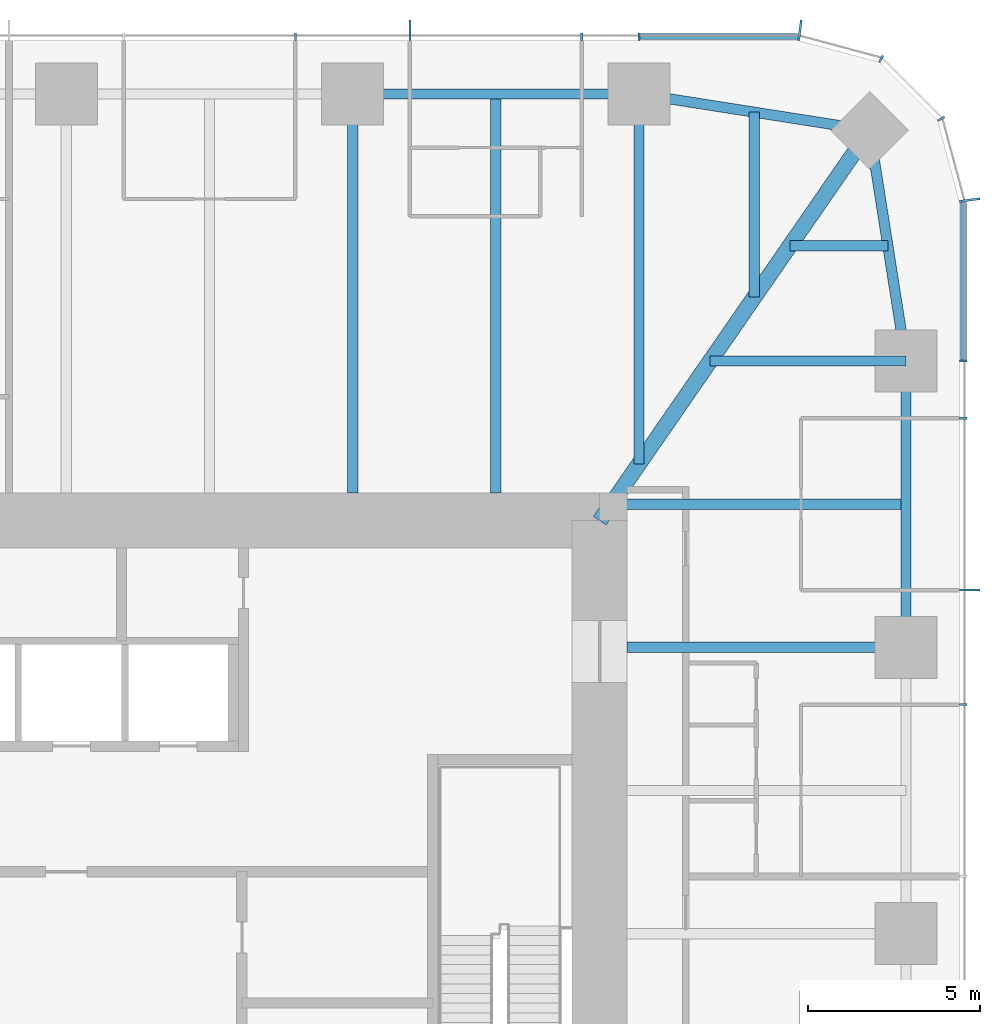
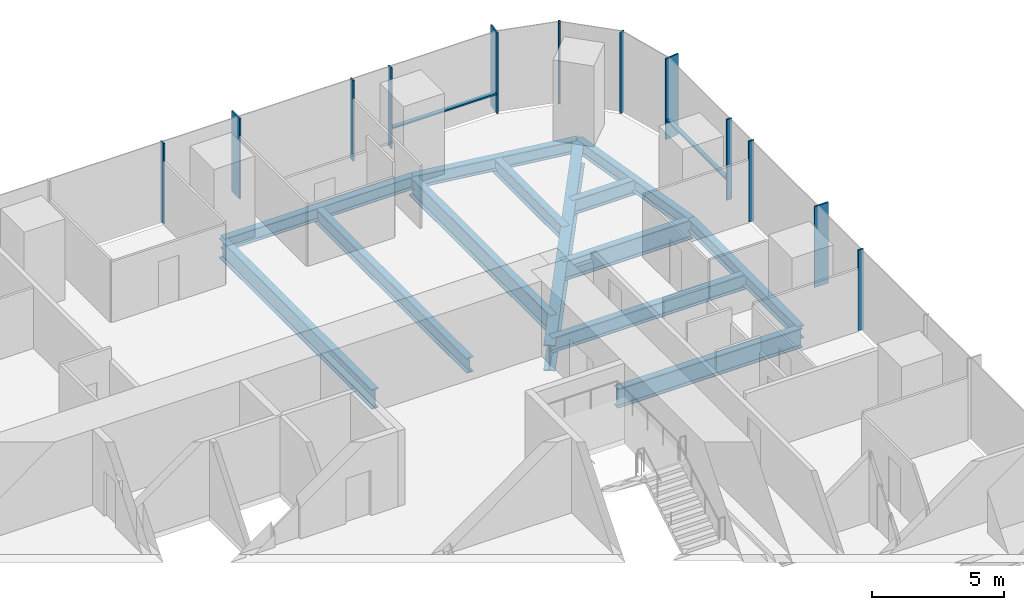
# One storey, part 6 of 12: 14 members, 13 beams, 3 elements without a shape of their own.
"""IFC4 building model written with IfcOpenShell, lengths in metres."""

import ifcopenshell
import ifcopenshell.guid

model = None  # the IFC model being written
_history = None  # IfcOwnerHistory: only IFC2X3 demands one
_inside = {}  # id of a spatial element -> (the spatial element, [elements in it])
_under = {}  # id of a project, library or spatial element -> (it, [spatial elements below it])
_declared = {}  # id of a project -> (the project, [libraries it declares])
_typed = {}  # id of a type object -> (the type object, [elements of that type])
_made_of = {}  # id of a material, layer set ... -> (it, [elements and type objects made of it])


def new_model(schema):
    """Start an empty IFC model of exactly this schema.

    Asked for "IFC4X3", IfcOpenShell would pick the latest addendum, in which some entities
    have other attributes; the version numbers below select the first issue.
    IFC2X3 requires an IfcOwnerHistory on every rooted entity: one is made here for all.
    """
    global model, _history
    if schema == "IFC4X3":
        model = ifcopenshell.file(schema_version=(4, 3, 0, 0))
    else:
        model = ifcopenshell.file(schema=schema)
    _inside.clear()
    _under.clear()
    _declared.clear()
    _typed.clear()
    _made_of.clear()
    _history = None
    if model.schema == "IFC2X3":
        org = make("IfcOrganization", Name="unknown")
        user = make(
            "IfcPersonAndOrganization",
            ThePerson=make("IfcPerson", FamilyName="unknown"),
            TheOrganization=org,
        )
        app = make(
            "IfcApplication",
            ApplicationDeveloper=org,
            Version="unknown",
            ApplicationFullName="unknown",
            ApplicationIdentifier="unknown",
        )
        _history = make(
            "IfcOwnerHistory",
            OwningUser=user,
            OwningApplication=app,
            ChangeAction="ADDED",
            CreationDate=0,
        )
    return model


def make(cls, **values):
    """One entity of the class cls with the attributes given. An attribute that is None is left unset."""
    return model.create_entity(
        cls, **{name: value for name, value in values.items() if value is not None}
    )


def rooted(cls, **values):
    """An entity with a GlobalId (a new one), such as an element, a storey or a relation."""
    return make(cls, GlobalId=ifcopenshell.guid.new(), OwnerHistory=_history, **values)


def si_unit(unit_type, name, prefix=None):
    """IfcSIUnit, for example si_unit("LENGTHUNIT", "METRE", prefix="MILLI")."""
    return make("IfcSIUnit", UnitType=unit_type, Prefix=prefix, Name=name)


def assignment(units):
    """IfcUnitAssignment: the units of a project."""
    return None if units is None else make("IfcUnitAssignment", Units=units)


def point(xyz):
    """IfcCartesianPoint."""
    return None if xyz is None else make("IfcCartesianPoint", Coordinates=xyz)


def direction(xyz):
    """IfcDirection."""
    return None if xyz is None else make("IfcDirection", DirectionRatios=xyz)


def frame(location, z_axis=None, x_axis=None):
    """IfcAxis2Placement3D, a coordinate frame: its origin and axes. An axis left out is left unset."""
    return make(
        "IfcAxis2Placement3D",
        Location=point(location),
        Axis=direction(z_axis),
        RefDirection=direction(x_axis),
    )


def frame_2d(location, x_axis=None):
    """IfcAxis2Placement2D, a coordinate frame in the plane: its origin and x axis."""
    return make(
        "IfcAxis2Placement2D", Location=point(location), RefDirection=direction(x_axis)
    )


def origin():
    """The frame at (0, 0, 0) with its axes left unset."""
    return frame((0.0, 0.0, 0.0))


def origin_2d():
    """The frame at (0, 0) in the plane with its x axis left unset."""
    return frame_2d((0.0, 0.0))


def place(relative_to, where):
    """IfcLocalPlacement: puts the frame where relative to a parent placement (None: the world)."""
    return make(
        "IfcLocalPlacement", PlacementRelTo=relative_to, RelativePlacement=where
    )


def context(
    kind, dimensions, precision=None, world=None, true_north=None, identifier=None
):
    """IfcGeometricRepresentationContext, for example the 3D "Model" context."""
    return make(
        "IfcGeometricRepresentationContext",
        ContextIdentifier=identifier,
        ContextType=kind,
        CoordinateSpaceDimension=dimensions,
        Precision=precision,
        WorldCoordinateSystem=world,
        TrueNorth=true_north,
    )


def subcontext(parent, identifier, kind, view, scale=None):
    """IfcGeometricRepresentationSubContext, for example "Body" below "Model"."""
    return make(
        "IfcGeometricRepresentationSubContext",
        ContextIdentifier=identifier,
        ContextType=kind,
        ParentContext=parent,
        TargetScale=scale,
        TargetView=view,
    )


def project(units=None, contexts=None):
    """IfcProject with its units and contexts."""
    return rooted(
        "IfcProject",
        Name="project",
        RepresentationContexts=contexts,
        UnitsInContext=assignment(units),
    )


def spatial(cls, under=None, at=None, **own):
    """A site, building, storey or space (cls), placed at a placement, below another one or the project."""
    s = rooted(cls, ObjectPlacement=at, **own)
    if under is not None:
        _under.setdefault(under.id(), (under, []))[1].append(s)
    return s


def profile(cls, at=None, kind="AREA", **sizes):
    """A parametric profile (cls). Its sizes go by their IFC names, for example OverallWidth=200.0."""
    return make(cls, ProfileType=kind, Position=at, **sizes)


def rectangle(**sizes):
    """IfcRectangleProfileDef."""
    return profile("IfcRectangleProfileDef", **sizes)


def i_section(**sizes):
    """IfcIShapeProfileDef."""
    return profile("IfcIShapeProfileDef", **sizes)


def extrude(swept, where, along, depth):
    """IfcExtrudedAreaSolid: the profile swept, set in the frame where, extruded along a direction by depth."""
    return make(
        "IfcExtrudedAreaSolid",
        SweptArea=swept,
        Position=where,
        ExtrudedDirection=direction(along),
        Depth=depth,
    )


def shape(context_of_items, identifier, shape_type, items):
    """IfcShapeRepresentation: the items that make up one representation, for example the "Body"."""
    return make(
        "IfcShapeRepresentation",
        ContextOfItems=context_of_items,
        RepresentationIdentifier=identifier,
        RepresentationType=shape_type,
        Items=items,
    )


def material(Name=None, Category=None):
    """IfcMaterial."""
    return make("IfcMaterial", Name=Name, Category=Category)


def material_profile(
    of_material, cross_section, Name=None, Category=None, Priority=None
):
    """IfcMaterialProfile: a cross section and its material."""
    return make(
        "IfcMaterialProfile",
        Name=Name,
        Material=of_material,
        Profile=cross_section,
        Priority=Priority,
        Category=Category,
    )


def profile_set(profiles, Name=None, composite=None):
    """IfcMaterialProfileSet."""
    return make(
        "IfcMaterialProfileSet",
        Name=Name,
        MaterialProfiles=profiles,
        CompositeProfile=composite,
    )


def made_of(thing, what):
    """Note that an element or type object is made of a material, layer set ...; save() writes the relation."""
    if what is not None:
        _made_of.setdefault(what.id(), (what, []))[1].append(thing)
    return thing


def type_object(cls, material=None, **own):
    """A type object (cls), such as IfcWallType, which elements share."""
    return made_of(rooted(cls, **own), material)


def element(
    cls,
    number,
    at=None,
    inside=None,
    cuts=None,
    type_object=None,
    material=None,
    context=None,
    identifier="Body",
    shape_type=None,
    held_by="IfcProductDefinitionShape",
    body=None,
    shapes=None,
    **own,
):
    """One element of the class cls, such as IfcWall. Its Tag is "e" and its number.

    at: its placement. inside: the storey or other place that contains it. cuts: it is an
    opening in that element (IfcRelVoidsElement). A single representation is given by context,
    identifier, shape_type and body (its items); several are given by shapes. held_by: the class
    of the entity that holds the representations. save() writes the other relations.
    """
    e = rooted(cls, Tag="e%d" % number, ObjectPlacement=at, **own)
    if body is not None:
        shapes = [shape(context, identifier, shape_type, body)]
    if shapes is not None:
        e.Representation = make(held_by, Representations=shapes)
    if inside is not None:
        _inside.setdefault(inside.id(), (inside, []))[1].append(e)
    if cuts is not None:
        rooted(
            "IfcRelVoidsElement", RelatingBuildingElement=cuts, RelatedOpeningElement=e
        )
    if type_object is not None:
        _typed.setdefault(type_object.id(), (type_object, []))[1].append(e)
    return made_of(e, material)


def aggregate(whole, parts):
    """IfcRelAggregates: a whole, such as a stair, and the parts it consists of."""
    return rooted("IfcRelAggregates", RelatingObject=whole, RelatedObjects=parts)


def save(model, path):
    """Write the relations noted so far, then the file.

    IfcRelAggregates (storeys below a building ...), IfcRelContainedInSpatialStructure (elements
    in a storey), IfcRelDefinesByType, IfcRelAssociatesMaterial and IfcRelDeclares: one each for
    every whole, place, type object, material and project.
    """
    for whole, parts in _under.values():
        aggregate(whole, parts)
    for where, things in _inside.values():
        rooted(
            "IfcRelContainedInSpatialStructure",
            RelatedElements=things,
            RelatingStructure=where,
        )
    for kind, things in _typed.values():
        rooted("IfcRelDefinesByType", RelatedObjects=things, RelatingType=kind)
    for what, things in _made_of.values():
        rooted("IfcRelAssociatesMaterial", RelatedObjects=things, RelatingMaterial=what)
    for by, libraries in _declared.values():
        rooted("IfcRelDeclares", RelatingContext=by, RelatedDefinitions=libraries)
    model.write(path)


model = new_model("IFC4")

# Units and contexts
model_context = context("Model", 3, precision=1e-05, world=origin(), true_north=direction((0.0, 1.0)))
body_context = subcontext(model_context, "Body", "Model", "MODEL_VIEW")
ifc_project = project(units=[si_unit("LENGTHUNIT", "METRE"), si_unit("AREAUNIT", "SQUARE_METRE"), si_unit("VOLUMEUNIT", "CUBIC_METRE"), si_unit("PLANEANGLEUNIT", "RADIAN"), si_unit("MASSUNIT", "GRAM", prefix="KILO")], contexts=[model_context])

# Site, building, storey
site_placement = place(None, origin())
site = spatial("IfcSite", under=ifc_project, at=site_placement, CompositionType="ELEMENT")
building_placement = place(site_placement, origin())
building = spatial("IfcBuilding", under=site, at=building_placement, Name="Khuree Lantern Residences", CompositionType="ELEMENT")
storey_placement = place(building_placement, frame((0.0, 0.0, 233.25)))
storey = spatial("IfcBuildingStorey", under=building, at=storey_placement, Name="L58", CompositionType="ELEMENT", Elevation=233.25)

# Beams
ifc_material_1 = material(Name="Steel S355", Category="steel")
ifc_material_profile_1 = material_profile(ifc_material_1, i_section(OverallWidth=0.300048828125, OverallDepth=0.68994140625, WebThickness=0.014404296875, FlangeThickness=0.027099609375, FilletRadius=0.027099609375, at=origin_2d()), Name="HE 700 A")
ifc_profile_set_1 = profile_set([ifc_material_profile_1], Name="Steel S355")
beam_type_1 = type_object("IfcBeamType", Name="B-33 SECONDARY BEAM HE 700 A", PredefinedType="BEAM", material=ifc_profile_set_1)
beam_1_placement = place(storey_placement, frame((12.47998046875, 24.39990234375, -0.594970703125), z_axis=(0.0, -1.0, 0.0), x_axis=(1.0, 0.0, 0.0)))
element("IfcBeam", 1, at=beam_1_placement, inside=storey, type_object=beam_type_1, Name="Secondary beam N4", PredefinedType="BEAM", context=body_context, shape_type="SweptSolid", body=[
    extrude(i_section(OverallWidth=0.300048828125, OverallDepth=0.68994140625, WebThickness=0.014404296875, FlangeThickness=0.027099609375, FilletRadius=0.027099609375, at=origin_2d()), origin(), (0.0, 0.0, 1.0), 11.599853515625),
])
beam_2_placement = place(storey_placement, frame((19.992919921875, 23.872802734375, -0.594970703125), z_axis=(0.0, -1.0, 0.0), x_axis=(1.0, 0.0, 0.0)))
element("IfcBeam", 2, at=beam_2_placement, inside=storey, type_object=beam_type_1, Name="Secondary beam N5", PredefinedType="BEAM", context=body_context, shape_type="SweptSolid", body=[
    extrude(i_section(OverallWidth=0.300048828125, OverallDepth=0.68994140625, WebThickness=0.014404296875, FlangeThickness=0.027099609375, FilletRadius=0.027099609375, at=origin_2d()), origin(), (0.0, 0.0, 1.0), 5.375732421875),
])
beam_3_placement = place(storey_placement, frame((23.872802734375, 19.992919921875, -0.594970703125), z_axis=(-1.0, 0.0, 0.0), x_axis=(0.0, -1.0, 0.0)))
element("IfcBeam", 3, at=beam_3_placement, inside=storey, type_object=beam_type_1, Name="Secondary beam E1", PredefinedType="BEAM", context=body_context, shape_type="SweptSolid", body=[
    extrude(i_section(OverallWidth=0.300048828125, OverallDepth=0.68994140625, WebThickness=0.014404296875, FlangeThickness=0.027099609375, FilletRadius=0.027099609375, at=origin_2d()), origin(), (0.0, 0.0, 1.0), 2.845703125),
])
beam_4_placement = place(storey_placement, frame((24.39990234375, 12.47998046875, -0.594970703125), z_axis=(-1.0, 0.0, 0.0), x_axis=(0.0, -1.0, 0.0)))
element("IfcBeam", 4, at=beam_4_placement, inside=storey, type_object=beam_type_1, Name="Secondary beam E2", PredefinedType="BEAM", context=body_context, shape_type="SweptSolid", body=[
    extrude(i_section(OverallWidth=0.300048828125, OverallDepth=0.68994140625, WebThickness=0.014404296875, FlangeThickness=0.027099609375, FilletRadius=0.027099609375, at=origin_2d()), origin(), (0.0, 0.0, 1.0), 8.56787109375),
])
ifc_material_profile_2 = material_profile(ifc_material_1, i_section(OverallWidth=0.300048828125, OverallDepth=0.590087890625, WebThickness=0.012939453125, FlangeThickness=0.02490234375, FilletRadius=0.027099609375, at=origin_2d()), Name="HE 600 A")
ifc_profile_set_2 = profile_set([ifc_material_profile_2], Name="Steel S355")
beam_type_2 = type_object("IfcBeamType", Name="E-33 SPANDREL BEAM HE 600 A", PredefinedType="SPANDREL", material=ifc_profile_set_2)
beam_5_placement = place(storey_placement, frame((8.320068359375, 24.39990234375, -0.544921875), z_axis=(1.0, 0.0, 0.0), x_axis=(0.0, 1.0, 0.0)))
element("IfcBeam", 5, at=beam_5_placement, inside=storey, type_object=beam_type_2, Name="Spandrel beam N4", PredefinedType="SPANDREL", context=body_context, shape_type="SweptSolid", body=[
    extrude(i_section(OverallWidth=0.300048828125, OverallDepth=0.590087890625, WebThickness=0.012939453125, FlangeThickness=0.02490234375, FilletRadius=0.027099609375, at=origin_2d()), origin(), (0.0, 0.0, 1.0), 8.31982421875),
])
for number, where, z_axis, x_axis, name in (
    (6, (16.639892578125, 24.39990234375, -0.544921875), (0.98786743189, -0.155299507442, 0.0), (0.155299507442, 0.98786743189, 0.0), "Spandrel beam N5"),
    (7, (23.345703125, 23.345703125, -0.544921875), (0.155299507442, -0.98786743189, 0.0), (0.98786743189, 0.155299507442, 0.0), "Spandrel beam E1"),
):
    element("IfcBeam", number, at=place(storey_placement, frame(where, z_axis=z_axis, x_axis=x_axis)), inside=storey, type_object=beam_type_2, Name=name, PredefinedType="SPANDREL", context=body_context, shape_type="SweptSolid", body=[
        extrude(i_section(OverallWidth=0.300048828125, OverallDepth=0.590087890625, WebThickness=0.012939453125, FlangeThickness=0.02490234375, FilletRadius=0.027099609375, at=origin_2d()), origin(), (0.0, 0.0, 1.0), 6.7880859375),
    ])
beam_6_placement = place(storey_placement, frame((24.39990234375, 16.639892578125, -0.544921875), z_axis=(0.0, -1.0, 0.0), x_axis=(1.0, 0.0, 0.0)))
element("IfcBeam", 8, at=beam_6_placement, inside=storey, type_object=beam_type_2, Name="Spandrel beam E2", PredefinedType="SPANDREL", context=body_context, shape_type="SweptSolid", body=[
    extrude(i_section(OverallWidth=0.300048828125, OverallDepth=0.590087890625, WebThickness=0.012939453125, FlangeThickness=0.02490234375, FilletRadius=0.027099609375, at=origin_2d()), origin(), (0.0, 0.0, 1.0), 8.31982421875),
])

# Curtain wall, member
ifc_material_2 = material(Name="Bronze anodised aluminium", Category="aluminium")
curtain_wall_type_1 = type_object("IfcCurtainWallType", Name="CW-T1 TOWER FACE CURTAIN WALL", PredefinedType="USERDEFINED", material=ifc_material_2)
curtain_wall_1_placement = place(storey_placement, origin())
curtain_wall_1 = element("IfcCurtainWall", 9, at=curtain_wall_1_placement, inside=storey, type_object=curtain_wall_type_1, Name="L58 EAST FACE CURTAIN WALL", ObjectType="Stick-built curtain wall", PredefinedType="USERDEFINED")
ifc_material_profile_3 = material_profile(ifc_material_2, rectangle(XDim=0.06494140625, YDim=0.60009765625, at=origin_2d()), Name="F1 65X600")
ifc_profile_set_3 = profile_set([ifc_material_profile_3], Name="Bronze anodised aluminium")
member_type_1 = type_object("IfcMemberType", Name="F1 BRONZE FIN MULLION TOWER 65X600", PredefinedType="MULLION", material=ifc_profile_set_3)
member_1_placement = place(storey_placement, frame((26.25, 9.98388671875, 0.0), z_axis=(0.0, 0.0, 1.0), x_axis=(0.0, 1.0, 0.0)))
member_1 = element("IfcMember", 10, at=member_1_placement, type_object=member_type_1, Name="L58 EAST FACE FIN MULLION 12", PredefinedType="MULLION", context=body_context, shape_type="SweptSolid", body=[
    extrude(rectangle(XDim=0.06494140625, YDim=0.60009765625, at=origin_2d()), origin(), (0.0, 0.0, 1.0), 3.75),
])

curtain_wall_type_2 = type_object("IfcCurtainWallType", Name="CW-T2 TOWER CORNER CURTAIN WALL", PredefinedType="USERDEFINED", material=ifc_material_2)
curtain_wall_2_placement = place(storey_placement, origin())
curtain_wall_2 = element("IfcCurtainWall", 11, at=curtain_wall_2_placement, inside=storey, type_object=curtain_wall_type_2, Name="L58 NORTH-EAST CORNER CURTAIN WALL", ObjectType="Faceted corner curtain wall", PredefinedType="USERDEFINED")
member_2_placement = place(storey_placement, frame((26.25, 21.31982421875, 0.0), z_axis=(0.0, 0.0, 1.0), x_axis=(-0.130526180298, 0.991444862943, 0.0)))
member_2 = element("IfcMember", 12, at=member_2_placement, type_object=member_type_1, Name="L58 NORTH-EAST CORNER FIN MULLION 15", PredefinedType="MULLION", context=body_context, shape_type="SweptSolid", body=[
    extrude(rectangle(XDim=0.06494140625, YDim=0.60009765625, at=origin_2d()), origin(), (0.0, 0.0, 1.0), 3.75),
])

# Curtain wall, members
curtain_wall_3_placement = place(storey_placement, origin())
curtain_wall_3 = element("IfcCurtainWall", 13, at=curtain_wall_3_placement, inside=storey, type_object=curtain_wall_type_1, Name="L58 NORTH FACE CURTAIN WALL", ObjectType="Stick-built curtain wall", PredefinedType="USERDEFINED")
member_3_placement = place(storey_placement, frame((21.31982421875, 26.25, 0.0), z_axis=(0.0, 0.0, 1.0), x_axis=(-0.991444862943, 0.130526180298, 0.0)))
member_3 = element("IfcMember", 14, at=member_3_placement, type_object=member_type_1, Name="L58 NORTH FACE FIN MULLION 18", PredefinedType="MULLION", context=body_context, shape_type="SweptSolid", body=[
    extrude(rectangle(XDim=0.06494140625, YDim=0.60009765625, at=origin_2d()), origin(), (0.0, 0.0, 1.0), 3.75),
])
member_4_placement = place(storey_placement, frame((9.98388671875, 26.25, 0.0), z_axis=(0.0, 0.0, 1.0), x_axis=(-1.0, 0.0, 0.0)))
member_4 = element("IfcMember", 15, at=member_4_placement, type_object=member_type_1, Name="L58 NORTH FACE FIN MULLION 21", PredefinedType="MULLION", context=body_context, shape_type="SweptSolid", body=[
    extrude(rectangle(XDim=0.06494140625, YDim=0.60009765625, at=origin_2d()), origin(), (0.0, 0.0, 1.0), 3.75),
])

# Beams
ifc_material_profile_4 = material_profile(ifc_material_1, i_section(OverallWidth=0.300048828125, OverallDepth=0.89990234375, WebThickness=0.0185546875, FlangeThickness=0.034912109375, FilletRadius=0.030029296875, at=origin_2d()), Name="HE 900 B")
ifc_profile_set_4 = profile_set([ifc_material_profile_4], Name="Steel S355")
beam_type_3 = type_object("IfcBeamType", Name="G-33 GIRDER HE 900 B", PredefinedType="BEAM", material=ifc_profile_set_4)
beam_7_placement = place(storey_placement, frame((8.320068359375, 24.39990234375, -0.699951171875), z_axis=(0.0, -1.0, 0.0), x_axis=(1.0, 0.0, 0.0)))
element("IfcBeam", 16, at=beam_7_placement, inside=storey, type_object=beam_type_3, Name="Girder N4", PredefinedType="BEAM", context=body_context, shape_type="SweptSolid", body=[
    extrude(i_section(OverallWidth=0.300048828125, OverallDepth=0.89990234375, WebThickness=0.0185546875, FlangeThickness=0.034912109375, FilletRadius=0.030029296875, at=origin_2d()), origin(), (0.0, 0.0, 1.0), 11.599853515625),
])
beam_8_placement = place(storey_placement, frame((16.639892578125, 24.39990234375, -0.699951171875), z_axis=(0.0, -1.0, 0.0), x_axis=(1.0, 0.0, 0.0)))
element("IfcBeam", 17, at=beam_8_placement, inside=storey, type_object=beam_type_3, Name="Girder N5", PredefinedType="BEAM", context=body_context, shape_type="SweptSolid", body=[
    extrude(i_section(OverallWidth=0.300048828125, OverallDepth=0.89990234375, WebThickness=0.0185546875, FlangeThickness=0.034912109375, FilletRadius=0.030029296875, at=origin_2d()), origin(), (0.0, 0.0, 1.0), 10.751220703125),
])
beam_9_placement = place(storey_placement, frame((24.39990234375, 16.639892578125, -0.699951171875), z_axis=(-1.0, 0.0, 0.0), x_axis=(0.0, -1.0, 0.0)))
element("IfcBeam", 18, at=beam_9_placement, inside=storey, type_object=beam_type_3, Name="Girder E1", PredefinedType="BEAM", context=body_context, shape_type="SweptSolid", body=[
    extrude(i_section(OverallWidth=0.300048828125, OverallDepth=0.89990234375, WebThickness=0.0185546875, FlangeThickness=0.034912109375, FilletRadius=0.030029296875, at=origin_2d()), origin(), (0.0, 0.0, 1.0), 5.69140625),
])
beam_10_placement = place(storey_placement, frame((24.39990234375, 8.320068359375, -0.699951171875), z_axis=(-1.0, 0.0, 0.0), x_axis=(0.0, -1.0, 0.0)))
element("IfcBeam", 19, at=beam_10_placement, inside=storey, type_object=beam_type_3, Name="Girder E2", PredefinedType="BEAM", context=body_context, shape_type="SweptSolid", body=[
    extrude(i_section(OverallWidth=0.300048828125, OverallDepth=0.89990234375, WebThickness=0.0185546875, FlangeThickness=0.034912109375, FilletRadius=0.030029296875, at=origin_2d()), origin(), (0.0, 0.0, 1.0), 8.099853515625),
])
ifc_material_profile_5 = material_profile(ifc_material_1, i_section(OverallWidth=0.449951171875, OverallDepth=1.199951171875, WebThickness=0.02490234375, FlangeThickness=0.044921875, at=origin_2d()), Name="WELDED I 1200X450X25X45")
ifc_profile_set_5 = profile_set([ifc_material_profile_5], Name="Steel S355")
beam_type_4 = type_object("IfcBeamType", Name="GD-33 CORNER GIRDER WELDED I 1200X450X25X45", PredefinedType="BEAM", material=ifc_profile_set_5)
beam_11_placement = place(storey_placement, frame((23.345703125, 23.345703125, -0.85009765625), z_axis=(-0.56876813501, -0.822497907959, 0.0), x_axis=(0.822497907959, -0.56876813501, 0.0)))
element("IfcBeam", 20, at=beam_11_placement, inside=storey, type_object=beam_type_4, Name="Corner girder NE", PredefinedType="BEAM", context=body_context, shape_type="SweptSolid", body=[
    extrude(i_section(OverallWidth=0.449951171875, OverallDepth=1.199951171875, WebThickness=0.02490234375, FlangeThickness=0.044921875, at=origin_2d()), origin(), (0.0, 0.0, 1.0), 13.794189453125),
])

# Member
ifc_material_profile_6 = material_profile(ifc_material_2, rectangle(XDim=0.06494140625, YDim=0.219970703125, at=origin_2d()), Name="M1 65X220")
ifc_profile_set_6 = profile_set([ifc_material_profile_6], Name="Bronze anodised aluminium")
member_type_2 = type_object("IfcMemberType", Name="M1 BRONZE MULLION TOWER 65X220", PredefinedType="MULLION", material=ifc_profile_set_6)
member_5_placement = place(storey_placement, frame((26.06005859375, 6.656005859375, 0.0), z_axis=(0.0, 0.0, 1.0), x_axis=(0.0, 1.0, 0.0)))
member_5 = element("IfcMember", 21, at=member_5_placement, type_object=member_type_2, Name="L58 EAST FACE MULLION 11", PredefinedType="MULLION", context=body_context, shape_type="SweptSolid", body=[
    extrude(rectangle(XDim=0.06494140625, YDim=0.219970703125, at=origin_2d()), origin(), (0.0, 0.0, 1.0), 3.75),
])

member_6_placement = place(storey_placement, frame((26.06005859375, 14.97607421875, 0.0), z_axis=(0.0, 0.0, 1.0), x_axis=(0.0, 1.0, 0.0)))
member_6 = element("IfcMember", 22, at=member_6_placement, type_object=member_type_2, Name="L58 EAST FACE MULLION 13", PredefinedType="MULLION", context=body_context, shape_type="SweptSolid", body=[
    extrude(rectangle(XDim=0.06494140625, YDim=0.219970703125, at=origin_2d()), origin(), (0.0, 0.0, 1.0), 3.75),
])

member_7_placement = place(storey_placement, frame((26.06005859375, 16.639892578125, 0.0), z_axis=(0.0, 0.0, 1.0), x_axis=(0.0, 1.0, 0.0)))
member_7 = element("IfcMember", 23, at=member_7_placement, type_object=member_type_2, Name="L58 EAST FACE MULLION 14", PredefinedType="MULLION", context=body_context, shape_type="SweptSolid", body=[
    extrude(rectangle(XDim=0.06494140625, YDim=0.219970703125, at=origin_2d()), origin(), (0.0, 0.0, 1.0), 3.75),
])

member_8_placement = place(storey_placement, frame((25.42236328125, 23.679931640625, 0.0), z_axis=(0.0, 0.0, 1.0), x_axis=(-0.499999989586, 0.866025409797, 0.0)))
member_8 = element("IfcMember", 24, at=member_8_placement, type_object=member_type_2, Name="L58 NORTH-EAST CORNER MULLION 16", PredefinedType="MULLION", context=body_context, shape_type="SweptSolid", body=[
    extrude(rectangle(XDim=0.06494140625, YDim=0.219970703125, at=origin_2d()), origin(), (0.0, 0.0, 1.0), 3.75),
])

member_9_placement = place(storey_placement, frame((23.679931640625, 25.42236328125, 0.0), z_axis=(0.0, 0.0, 1.0), x_axis=(-0.866025409797, 0.499999989586, 0.0)))
member_9 = element("IfcMember", 25, at=member_9_placement, type_object=member_type_2, Name="L58 NORTH-EAST CORNER MULLION 17", PredefinedType="MULLION", context=body_context, shape_type="SweptSolid", body=[
    extrude(rectangle(XDim=0.06494140625, YDim=0.219970703125, at=origin_2d()), origin(), (0.0, 0.0, 1.0), 3.75),
])

aggregate(curtain_wall_2, [member_2, member_8, member_9])

member_10_placement = place(storey_placement, frame((16.639892578125, 26.06005859375, 0.0), z_axis=(0.0, 0.0, 1.0), x_axis=(-1.0, 0.0, 0.0)))
member_10 = element("IfcMember", 26, at=member_10_placement, type_object=member_type_2, Name="L58 NORTH FACE MULLION 19", PredefinedType="MULLION", context=body_context, shape_type="SweptSolid", body=[
    extrude(rectangle(XDim=0.06494140625, YDim=0.219970703125, at=origin_2d()), origin(), (0.0, 0.0, 1.0), 3.75),
])

member_11_placement = place(storey_placement, frame((14.97607421875, 26.06005859375, 0.0), z_axis=(0.0, 0.0, 1.0), x_axis=(-1.0, 0.0, 0.0)))
member_11 = element("IfcMember", 27, at=member_11_placement, type_object=member_type_2, Name="L58 NORTH FACE MULLION 20", PredefinedType="MULLION", context=body_context, shape_type="SweptSolid", body=[
    extrude(rectangle(XDim=0.06494140625, YDim=0.219970703125, at=origin_2d()), origin(), (0.0, 0.0, 1.0), 3.75),
])

member_12_placement = place(storey_placement, frame((6.656005859375, 26.06005859375, 0.0), z_axis=(0.0, 0.0, 1.0), x_axis=(-1.0, 0.0, 0.0)))
member_12 = element("IfcMember", 28, at=member_12_placement, type_object=member_type_2, Name="L58 NORTH FACE MULLION 22", PredefinedType="MULLION", context=body_context, shape_type="SweptSolid", body=[
    extrude(rectangle(XDim=0.06494140625, YDim=0.219970703125, at=origin_2d()), origin(), (0.0, 0.0, 1.0), 3.75),
])

ifc_material_profile_7 = material_profile(ifc_material_2, rectangle(XDim=0.179931640625, YDim=0.06494140625, at=origin_2d()), Name="T1 180X65")
ifc_profile_set_7 = profile_set([ifc_material_profile_7], Name="Bronze anodised aluminium")
member_type_3 = type_object("IfcMemberType", Name="TRANSOM T1 TOWER 180X65", PredefinedType="USERDEFINED", material=ifc_profile_set_7)
member_13_placement = place(storey_placement, frame((26.070068359375, 16.672607421875, 0.89990234375), z_axis=(0.0, 1.0, 0.0), x_axis=(-1.0, 0.0, 0.0)))
member_13 = element("IfcMember", 29, at=member_13_placement, type_object=member_type_3, Name="L58 EAST FACE TRANSOM 14.1", ObjectType="Transom", PredefinedType="USERDEFINED", context=body_context, shape_type="SweptSolid", body=[
    extrude(rectangle(XDim=0.179931640625, YDim=0.06494140625, at=origin_2d()), origin(), (0.0, 0.0, 1.0), 4.578857421875),
])

aggregate(curtain_wall_1, [member_5, member_1, member_6, member_7, member_13])

member_14_placement = place(storey_placement, frame((21.25146484375, 26.070068359375, 0.89990234375), z_axis=(-1.0, 0.0, 0.0), x_axis=(0.0, -1.0, 0.0)))
member_14 = element("IfcMember", 30, at=member_14_placement, type_object=member_type_3, Name="L58 NORTH FACE TRANSOM 18.1", ObjectType="Transom", PredefinedType="USERDEFINED", context=body_context, shape_type="SweptSolid", body=[
    extrude(rectangle(XDim=0.179931640625, YDim=0.06494140625, at=origin_2d()), origin(), (0.0, 0.0, 1.0), 4.578857421875),
])

aggregate(curtain_wall_3, [member_3, member_10, member_11, member_4, member_12, member_14])

save(model, "model.ifc")
